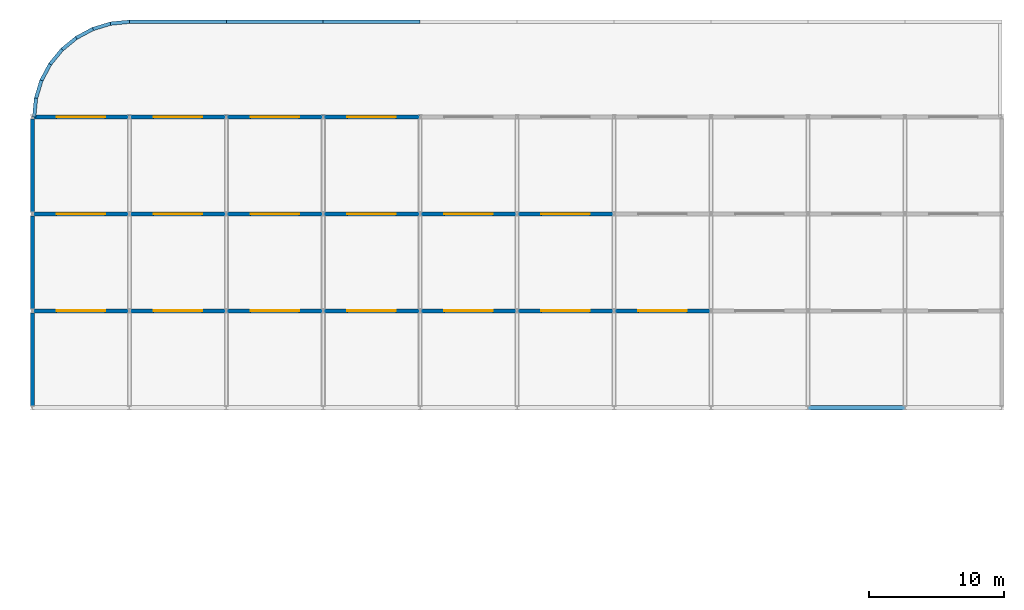
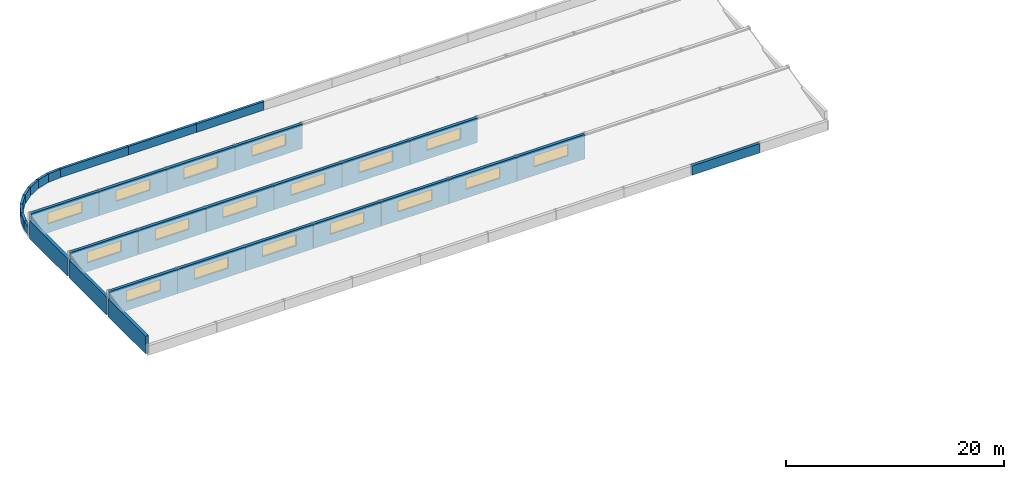
# One storey, part 16 of 19: 32 walls, 17 windows, 17 openings.
"""IFC4 building model written with IfcOpenShell, lengths in metres."""

from ifc_helpers import new_model, si_unit, direction, frame, frame_2d, origin, place, context, subcontext, project, spatial, rectangle, extrude, material, layer, layer_set, type_object, element, fill, save


model = new_model("IFC4")

# Units and contexts
model_context = context("Model", 3, precision=1e-05, world=origin(), true_north=direction((0.0, 1.0)))
body_context = subcontext(model_context, "Body", "Model", "MODEL_VIEW")
ifc_project = project(units=[si_unit("LENGTHUNIT", "METRE"), si_unit("AREAUNIT", "SQUARE_METRE"), si_unit("VOLUMEUNIT", "CUBIC_METRE"), si_unit("PLANEANGLEUNIT", "RADIAN"), si_unit("MASSUNIT", "GRAM", prefix="KILO")], contexts=[model_context])

# Site, building, storey
site_placement = place(None, origin())
site = spatial("IfcSite", under=ifc_project, at=site_placement, CompositionType="ELEMENT")
building_placement = place(site_placement, origin())
building = spatial("IfcBuilding", under=site, at=building_placement, Name="Thalmaran Polytechnic", CompositionType="ELEMENT")
storey_placement = place(building_placement, frame((0.0, 0.0, 26.699951171875)))
storey = spatial("IfcBuildingStorey", under=building, at=storey_placement, Name="L06", CompositionType="ELEMENT", Elevation=26.699951171875)

# Wall, opening, window
ifc_material_1 = material(Name="Precast concrete C40/50", Category="concrete")
ifc_layer_1 = layer(ifc_material_1, 0.31005859375, Name="Precast concrete C40/50")
ifc_layer_set_1 = layer_set([ifc_layer_1], Name="Precast concrete C40/50")
wall_type_1 = type_object("IfcWallType", Name="WL-EW03", PredefinedType="STANDARD", material=ifc_layer_set_1)
wall_1_placement = place(storey_placement, frame((7.18994140625, 100.800048828125, 0.0), z_axis=(0.0, 0.0, 1.0), x_axis=(-1.0, 0.0, 0.0)))
wall_1 = element("IfcWall", 1, at=wall_1_placement, inside=storey, type_object=wall_type_1, Name="Sawtooth North-Light Monitor Wall 1-00", PredefinedType="STANDARD", context=body_context, shape_type="SweptSolid", body=[
    extrude(rectangle(XDim=7.179931640625, YDim=0.31005859375, at=frame_2d((3.58984375, 0.0))), origin(), (0.0, 0.0, 1.0), 2.758544921875),
])
opening_1_placement = place(wall_1_placement, frame((1.7900390625, 0.0, 0.97998046875)))
opening_1 = element("IfcOpeningElement", 2, at=opening_1_placement, cuts=wall_1, Name="Opening CL03", PredefinedType="OPENING", context=body_context, shape_type="SweptSolid", body=[
    extrude(rectangle(XDim=3.60009765625, YDim=1.25, at=frame_2d((1.800048828125, 0.625))), frame((0.0, 0.1650390625, 0.0), z_axis=(0.0, -1.0, 0.0), x_axis=(1.0, 0.0, 0.0)), (0.0, 0.0, 1.0), 0.330078125),
])
ifc_material_2 = material(Name="Thermally broken aluminium and double low-E glass", Category="aluminium")
window_type = type_object("IfcWindowType", Name="WN-CL03", PartitioningType="DOUBLE_PANEL_VERTICAL", PredefinedType="WINDOW", material=ifc_material_2)
window_1_placement = place(opening_1_placement, origin())
window_1 = element("IfcWindow", 3, at=window_1_placement, inside=storey, type_object=window_type, Name="Sawtooth North-Light Studio Clerestory 1-00", OverallHeight=1.25, OverallWidth=3.60009765625, PartitioningType="SINGLE_PANEL", PredefinedType="WINDOW", context=body_context, shape_type="SweptSolid", body=[
    extrude(rectangle(XDim=3.60009765625, YDim=1.25, at=frame_2d((1.800048828125, 0.625))), frame((0.0, 0.030029296875, 0.0), z_axis=(0.0, -1.0, 0.0), x_axis=(1.0, 0.0, 0.0)), (0.0, 0.0, 1.0), 0.06005859375),
])
fill(opening_1, window_1)

wall_2_placement = place(storey_placement, frame((14.389892578125, 100.800048828125, 0.0), z_axis=(0.0, 0.0, 1.0), x_axis=(-1.0, 0.0, 0.0)))
wall_2 = element("IfcWall", 4, at=wall_2_placement, inside=storey, type_object=wall_type_1, Name="Sawtooth North-Light Monitor Wall 1-01", PredefinedType="STANDARD", context=body_context, shape_type="SweptSolid", body=[
    extrude(rectangle(XDim=7.179931640625, YDim=0.31005859375, at=frame_2d((3.58984375, 0.0))), origin(), (0.0, 0.0, 1.0), 2.758544921875),
])
opening_2_placement = place(wall_2_placement, frame((1.7900390625, 0.0, 0.97998046875)))
opening_2 = element("IfcOpeningElement", 5, at=opening_2_placement, cuts=wall_2, Name="Opening CL03", PredefinedType="OPENING", context=body_context, shape_type="SweptSolid", body=[
    extrude(rectangle(XDim=3.60009765625, YDim=1.25, at=frame_2d((1.800048828125, 0.625))), frame((0.0, 0.1650390625, 0.0), z_axis=(0.0, -1.0, 0.0), x_axis=(1.0, 0.0, 0.0)), (0.0, 0.0, 1.0), 0.330078125),
])
window_2_placement = place(opening_2_placement, origin())
window_2 = element("IfcWindow", 6, at=window_2_placement, inside=storey, type_object=window_type, Name="Sawtooth North-Light Studio Clerestory 1-01", OverallHeight=1.25, OverallWidth=3.60009765625, PartitioningType="SINGLE_PANEL", PredefinedType="WINDOW", context=body_context, shape_type="SweptSolid", body=[
    extrude(rectangle(XDim=3.60009765625, YDim=1.25, at=frame_2d((1.800048828125, 0.625))), frame((0.0, 0.030029296875, 0.0), z_axis=(0.0, -1.0, 0.0), x_axis=(1.0, 0.0, 0.0)), (0.0, 0.0, 1.0), 0.06005859375),
])
fill(opening_2, window_2)

wall_3_placement = place(storey_placement, frame((21.590087890625, 100.800048828125, 0.0), z_axis=(0.0, 0.0, 1.0), x_axis=(-1.0, 0.0, 0.0)))
wall_3 = element("IfcWall", 7, at=wall_3_placement, inside=storey, type_object=wall_type_1, Name="Sawtooth North-Light Monitor Wall 1-02", PredefinedType="STANDARD", context=body_context, shape_type="SweptSolid", body=[
    extrude(rectangle(XDim=7.18017578125, YDim=0.31005859375, at=frame_2d((3.590087890625, 0.0))), origin(), (0.0, 0.0, 1.0), 2.758544921875),
])
opening_3_placement = place(wall_3_placement, frame((1.7900390625, 0.0, 0.97998046875)))
opening_3 = element("IfcOpeningElement", 8, at=opening_3_placement, cuts=wall_3, Name="Opening CL03", PredefinedType="OPENING", context=body_context, shape_type="SweptSolid", body=[
    extrude(rectangle(XDim=3.60009765625, YDim=1.25, at=frame_2d((1.800048828125, 0.625))), frame((0.0, 0.1650390625, 0.0), z_axis=(0.0, -1.0, 0.0), x_axis=(1.0, 0.0, 0.0)), (0.0, 0.0, 1.0), 0.330078125),
])
window_3_placement = place(opening_3_placement, origin())
window_3 = element("IfcWindow", 9, at=window_3_placement, inside=storey, type_object=window_type, Name="Sawtooth North-Light Studio Clerestory 1-02", OverallHeight=1.25, OverallWidth=3.60009765625, PartitioningType="SINGLE_PANEL", PredefinedType="WINDOW", context=body_context, shape_type="SweptSolid", body=[
    extrude(rectangle(XDim=3.60009765625, YDim=1.25, at=frame_2d((1.800048828125, 0.625))), frame((0.0, 0.030029296875, 0.0), z_axis=(0.0, -1.0, 0.0), x_axis=(1.0, 0.0, 0.0)), (0.0, 0.0, 1.0), 0.06005859375),
])
fill(opening_3, window_3)

wall_4_placement = place(storey_placement, frame((28.7900390625, 100.800048828125, 0.0), z_axis=(0.0, 0.0, 1.0), x_axis=(-1.0, 0.0, 0.0)))
wall_4 = element("IfcWall", 10, at=wall_4_placement, inside=storey, type_object=wall_type_1, Name="Sawtooth North-Light Monitor Wall 1-03", PredefinedType="STANDARD", context=body_context, shape_type="SweptSolid", body=[
    extrude(rectangle(XDim=7.179931640625, YDim=0.31005859375, at=frame_2d((3.58984375, 0.0))), origin(), (0.0, 0.0, 1.0), 2.758544921875),
])
opening_4_placement = place(wall_4_placement, frame((1.7900390625, 0.0, 0.97998046875)))
opening_4 = element("IfcOpeningElement", 11, at=opening_4_placement, cuts=wall_4, Name="Opening CL03", PredefinedType="OPENING", context=body_context, shape_type="SweptSolid", body=[
    extrude(rectangle(XDim=3.60009765625, YDim=1.25, at=frame_2d((1.800048828125, 0.625))), frame((0.0, 0.1650390625, 0.0), z_axis=(0.0, -1.0, 0.0), x_axis=(1.0, 0.0, 0.0)), (0.0, 0.0, 1.0), 0.330078125),
])
window_4_placement = place(opening_4_placement, origin())
window_4 = element("IfcWindow", 12, at=window_4_placement, inside=storey, type_object=window_type, Name="Sawtooth North-Light Studio Clerestory 1-03", OverallHeight=1.25, OverallWidth=3.60009765625, PartitioningType="SINGLE_PANEL", PredefinedType="WINDOW", context=body_context, shape_type="SweptSolid", body=[
    extrude(rectangle(XDim=3.60009765625, YDim=1.25, at=frame_2d((1.800048828125, 0.625))), frame((0.0, 0.030029296875, 0.0), z_axis=(0.0, -1.0, 0.0), x_axis=(1.0, 0.0, 0.0)), (0.0, 0.0, 1.0), 0.06005859375),
])
fill(opening_4, window_4)

wall_5_placement = place(storey_placement, frame((35.989990234375, 100.800048828125, 0.0), z_axis=(0.0, 0.0, 1.0), x_axis=(-1.0, 0.0, 0.0)))
wall_5 = element("IfcWall", 13, at=wall_5_placement, inside=storey, type_object=wall_type_1, Name="Sawtooth North-Light Monitor Wall 1-04", PredefinedType="STANDARD", context=body_context, shape_type="SweptSolid", body=[
    extrude(rectangle(XDim=7.179931640625, YDim=0.31005859375, at=frame_2d((3.58984375, 0.0))), origin(), (0.0, 0.0, 1.0), 2.758544921875),
])
opening_5_placement = place(wall_5_placement, frame((1.7900390625, 0.0, 0.97998046875)))
opening_5 = element("IfcOpeningElement", 14, at=opening_5_placement, cuts=wall_5, Name="Opening CL03", PredefinedType="OPENING", context=body_context, shape_type="SweptSolid", body=[
    extrude(rectangle(XDim=3.60009765625, YDim=1.25, at=frame_2d((1.800048828125, 0.625))), frame((0.0, 0.1650390625, 0.0), z_axis=(0.0, -1.0, 0.0), x_axis=(1.0, 0.0, 0.0)), (0.0, 0.0, 1.0), 0.330078125),
])
window_5_placement = place(opening_5_placement, origin())
window_5 = element("IfcWindow", 15, at=window_5_placement, inside=storey, type_object=window_type, Name="Sawtooth North-Light Studio Clerestory 1-04", OverallHeight=1.25, OverallWidth=3.60009765625, PartitioningType="SINGLE_PANEL", PredefinedType="WINDOW", context=body_context, shape_type="SweptSolid", body=[
    extrude(rectangle(XDim=3.60009765625, YDim=1.25, at=frame_2d((1.800048828125, 0.625))), frame((0.0, 0.030029296875, 0.0), z_axis=(0.0, -1.0, 0.0), x_axis=(1.0, 0.0, 0.0)), (0.0, 0.0, 1.0), 0.06005859375),
])
fill(opening_5, window_5)

wall_6_placement = place(storey_placement, frame((43.18994140625, 100.800048828125, 0.0), z_axis=(0.0, 0.0, 1.0), x_axis=(-1.0, 0.0, 0.0)))
wall_6 = element("IfcWall", 16, at=wall_6_placement, inside=storey, type_object=wall_type_1, Name="Sawtooth North-Light Monitor Wall 1-05", PredefinedType="STANDARD", context=body_context, shape_type="SweptSolid", body=[
    extrude(rectangle(XDim=7.179931640625, YDim=0.31005859375, at=frame_2d((3.58984375, 0.0))), origin(), (0.0, 0.0, 1.0), 2.758544921875),
])
opening_6_placement = place(wall_6_placement, frame((1.7900390625, 0.0, 0.97998046875)))
opening_6 = element("IfcOpeningElement", 17, at=opening_6_placement, cuts=wall_6, Name="Opening CL03", PredefinedType="OPENING", context=body_context, shape_type="SweptSolid", body=[
    extrude(rectangle(XDim=3.60009765625, YDim=1.25, at=frame_2d((1.800048828125, 0.625))), frame((0.0, 0.1650390625, 0.0), z_axis=(0.0, -1.0, 0.0), x_axis=(1.0, 0.0, 0.0)), (0.0, 0.0, 1.0), 0.330078125),
])
window_6_placement = place(opening_6_placement, origin())
window_6 = element("IfcWindow", 18, at=window_6_placement, inside=storey, type_object=window_type, Name="Sawtooth North-Light Studio Clerestory 1-05", OverallHeight=1.25, OverallWidth=3.60009765625, PartitioningType="SINGLE_PANEL", PredefinedType="WINDOW", context=body_context, shape_type="SweptSolid", body=[
    extrude(rectangle(XDim=3.60009765625, YDim=1.25, at=frame_2d((1.800048828125, 0.625))), frame((0.0, 0.030029296875, 0.0), z_axis=(0.0, -1.0, 0.0), x_axis=(1.0, 0.0, 0.0)), (0.0, 0.0, 1.0), 0.06005859375),
])
fill(opening_6, window_6)

wall_7_placement = place(storey_placement, frame((50.389892578125, 100.800048828125, 0.0), z_axis=(0.0, 0.0, 1.0), x_axis=(-1.0, 0.0, 0.0)))
wall_7 = element("IfcWall", 19, at=wall_7_placement, inside=storey, type_object=wall_type_1, Name="Sawtooth North-Light Monitor Wall 1-06", PredefinedType="STANDARD", context=body_context, shape_type="SweptSolid", body=[
    extrude(rectangle(XDim=7.179931640625, YDim=0.31005859375, at=frame_2d((3.58984375, 0.0))), origin(), (0.0, 0.0, 1.0), 2.758544921875),
])
opening_7_placement = place(wall_7_placement, frame((1.7900390625, 0.0, 0.97998046875)))
opening_7 = element("IfcOpeningElement", 20, at=opening_7_placement, cuts=wall_7, Name="Opening CL03", PredefinedType="OPENING", context=body_context, shape_type="SweptSolid", body=[
    extrude(rectangle(XDim=3.60009765625, YDim=1.25, at=frame_2d((1.800048828125, 0.625))), frame((0.0, 0.1650390625, 0.0), z_axis=(0.0, -1.0, 0.0), x_axis=(1.0, 0.0, 0.0)), (0.0, 0.0, 1.0), 0.330078125),
])
window_7_placement = place(opening_7_placement, origin())
window_7 = element("IfcWindow", 21, at=window_7_placement, inside=storey, type_object=window_type, Name="Sawtooth North-Light Studio Clerestory 1-06", OverallHeight=1.25, OverallWidth=3.60009765625, PartitioningType="SINGLE_PANEL", PredefinedType="WINDOW", context=body_context, shape_type="SweptSolid", body=[
    extrude(rectangle(XDim=3.60009765625, YDim=1.25, at=frame_2d((1.800048828125, 0.625))), frame((0.0, 0.030029296875, 0.0), z_axis=(0.0, -1.0, 0.0), x_axis=(1.0, 0.0, 0.0)), (0.0, 0.0, 1.0), 0.06005859375),
])
fill(opening_7, window_7)

# Walls
wall_8_placement = place(storey_placement, frame((57.610107421875, 93.60009765625, 0.0), z_axis=(0.0, 0.0, 1.0), x_axis=(1.0, 0.0, 0.0)))
element("IfcWall", 22, at=wall_8_placement, inside=storey, type_object=wall_type_1, Name="Sawtooth South Eave Spandrel 08", PredefinedType="STANDARD", context=body_context, shape_type="SweptSolid", body=[
    extrude(rectangle(XDim=7.179931640625, YDim=0.31005859375, at=frame_2d((3.58984375, 0.0))), origin(), (0.0, 0.0, 1.0), 1.050048828125),
])
wall_9_placement = place(storey_placement, frame((0.0, 100.64990234375, 0.0), z_axis=(0.0, 0.0, 1.0), x_axis=(0.0, -1.0, 0.0)))
element("IfcWall", 23, at=wall_9_placement, inside=storey, type_object=wall_type_1, Name="Sawtooth Monitor End Cheek Wall 1-W", PredefinedType="STANDARD", context=body_context, shape_type="SweptSolid", body=[
    extrude(rectangle(XDim=6.89990234375, YDim=0.31005859375, at=frame_2d((3.449951171875, 0.0))), origin(), (0.0, 0.0, 1.0), 1.994384765625),
])

# Wall, opening, window
wall_10_placement = place(storey_placement, frame((7.18994140625, 108.0, 0.0), z_axis=(0.0, 0.0, 1.0), x_axis=(-1.0, 0.0, 0.0)))
wall_10 = element("IfcWall", 24, at=wall_10_placement, inside=storey, type_object=wall_type_1, Name="Sawtooth North-Light Monitor Wall 2-00", PredefinedType="STANDARD", context=body_context, shape_type="SweptSolid", body=[
    extrude(rectangle(XDim=7.179931640625, YDim=0.31005859375, at=frame_2d((3.58984375, 0.0))), origin(), (0.0, 0.0, 1.0), 2.758544921875),
])
opening_8_placement = place(wall_10_placement, frame((1.7900390625, 0.0, 0.97998046875)))
opening_8 = element("IfcOpeningElement", 25, at=opening_8_placement, cuts=wall_10, Name="Opening CL03", PredefinedType="OPENING", context=body_context, shape_type="SweptSolid", body=[
    extrude(rectangle(XDim=3.60009765625, YDim=1.25, at=frame_2d((1.800048828125, 0.625))), frame((0.0, 0.1650390625, 0.0), z_axis=(0.0, -1.0, 0.0), x_axis=(1.0, 0.0, 0.0)), (0.0, 0.0, 1.0), 0.330078125),
])
window_8_placement = place(opening_8_placement, origin())
window_8 = element("IfcWindow", 26, at=window_8_placement, inside=storey, type_object=window_type, Name="Sawtooth North-Light Studio Clerestory 2-00", OverallHeight=1.25, OverallWidth=3.60009765625, PartitioningType="SINGLE_PANEL", PredefinedType="WINDOW", context=body_context, shape_type="SweptSolid", body=[
    extrude(rectangle(XDim=3.60009765625, YDim=1.25, at=frame_2d((1.800048828125, 0.625))), frame((0.0, 0.030029296875, 0.0), z_axis=(0.0, -1.0, 0.0), x_axis=(1.0, 0.0, 0.0)), (0.0, 0.0, 1.0), 0.06005859375),
])
fill(opening_8, window_8)

wall_11_placement = place(storey_placement, frame((14.389892578125, 108.0, 0.0), z_axis=(0.0, 0.0, 1.0), x_axis=(-1.0, 0.0, 0.0)))
wall_11 = element("IfcWall", 27, at=wall_11_placement, inside=storey, type_object=wall_type_1, Name="Sawtooth North-Light Monitor Wall 2-01", PredefinedType="STANDARD", context=body_context, shape_type="SweptSolid", body=[
    extrude(rectangle(XDim=7.179931640625, YDim=0.31005859375, at=frame_2d((3.58984375, 0.0))), origin(), (0.0, 0.0, 1.0), 2.758544921875),
])
opening_9_placement = place(wall_11_placement, frame((1.7900390625, 0.0, 0.97998046875)))
opening_9 = element("IfcOpeningElement", 28, at=opening_9_placement, cuts=wall_11, Name="Opening CL03", PredefinedType="OPENING", context=body_context, shape_type="SweptSolid", body=[
    extrude(rectangle(XDim=3.60009765625, YDim=1.25, at=frame_2d((1.800048828125, 0.625))), frame((0.0, 0.1650390625, 0.0), z_axis=(0.0, -1.0, 0.0), x_axis=(1.0, 0.0, 0.0)), (0.0, 0.0, 1.0), 0.330078125),
])
window_9_placement = place(opening_9_placement, origin())
window_9 = element("IfcWindow", 29, at=window_9_placement, inside=storey, type_object=window_type, Name="Sawtooth North-Light Studio Clerestory 2-01", OverallHeight=1.25, OverallWidth=3.60009765625, PartitioningType="SINGLE_PANEL", PredefinedType="WINDOW", context=body_context, shape_type="SweptSolid", body=[
    extrude(rectangle(XDim=3.60009765625, YDim=1.25, at=frame_2d((1.800048828125, 0.625))), frame((0.0, 0.030029296875, 0.0), z_axis=(0.0, -1.0, 0.0), x_axis=(1.0, 0.0, 0.0)), (0.0, 0.0, 1.0), 0.06005859375),
])
fill(opening_9, window_9)

wall_12_placement = place(storey_placement, frame((21.590087890625, 108.0, 0.0), z_axis=(0.0, 0.0, 1.0), x_axis=(-1.0, 0.0, 0.0)))
wall_12 = element("IfcWall", 30, at=wall_12_placement, inside=storey, type_object=wall_type_1, Name="Sawtooth North-Light Monitor Wall 2-02", PredefinedType="STANDARD", context=body_context, shape_type="SweptSolid", body=[
    extrude(rectangle(XDim=7.18017578125, YDim=0.31005859375, at=frame_2d((3.590087890625, 0.0))), origin(), (0.0, 0.0, 1.0), 2.758544921875),
])
opening_10_placement = place(wall_12_placement, frame((1.7900390625, 0.0, 0.97998046875)))
opening_10 = element("IfcOpeningElement", 31, at=opening_10_placement, cuts=wall_12, Name="Opening CL03", PredefinedType="OPENING", context=body_context, shape_type="SweptSolid", body=[
    extrude(rectangle(XDim=3.60009765625, YDim=1.25, at=frame_2d((1.800048828125, 0.625))), frame((0.0, 0.1650390625, 0.0), z_axis=(0.0, -1.0, 0.0), x_axis=(1.0, 0.0, 0.0)), (0.0, 0.0, 1.0), 0.330078125),
])
window_10_placement = place(opening_10_placement, origin())
window_10 = element("IfcWindow", 32, at=window_10_placement, inside=storey, type_object=window_type, Name="Sawtooth North-Light Studio Clerestory 2-02", OverallHeight=1.25, OverallWidth=3.60009765625, PartitioningType="SINGLE_PANEL", PredefinedType="WINDOW", context=body_context, shape_type="SweptSolid", body=[
    extrude(rectangle(XDim=3.60009765625, YDim=1.25, at=frame_2d((1.800048828125, 0.625))), frame((0.0, 0.030029296875, 0.0), z_axis=(0.0, -1.0, 0.0), x_axis=(1.0, 0.0, 0.0)), (0.0, 0.0, 1.0), 0.06005859375),
])
fill(opening_10, window_10)

wall_13_placement = place(storey_placement, frame((28.7900390625, 108.0, 0.0), z_axis=(0.0, 0.0, 1.0), x_axis=(-1.0, 0.0, 0.0)))
wall_13 = element("IfcWall", 33, at=wall_13_placement, inside=storey, type_object=wall_type_1, Name="Sawtooth North-Light Monitor Wall 2-03", PredefinedType="STANDARD", context=body_context, shape_type="SweptSolid", body=[
    extrude(rectangle(XDim=7.179931640625, YDim=0.31005859375, at=frame_2d((3.58984375, 0.0))), origin(), (0.0, 0.0, 1.0), 2.758544921875),
])
opening_11_placement = place(wall_13_placement, frame((1.7900390625, 0.0, 0.97998046875)))
opening_11 = element("IfcOpeningElement", 34, at=opening_11_placement, cuts=wall_13, Name="Opening CL03", PredefinedType="OPENING", context=body_context, shape_type="SweptSolid", body=[
    extrude(rectangle(XDim=3.60009765625, YDim=1.25, at=frame_2d((1.800048828125, 0.625))), frame((0.0, 0.1650390625, 0.0), z_axis=(0.0, -1.0, 0.0), x_axis=(1.0, 0.0, 0.0)), (0.0, 0.0, 1.0), 0.330078125),
])
window_11_placement = place(opening_11_placement, origin())
window_11 = element("IfcWindow", 35, at=window_11_placement, inside=storey, type_object=window_type, Name="Sawtooth North-Light Studio Clerestory 2-03", OverallHeight=1.25, OverallWidth=3.60009765625, PartitioningType="SINGLE_PANEL", PredefinedType="WINDOW", context=body_context, shape_type="SweptSolid", body=[
    extrude(rectangle(XDim=3.60009765625, YDim=1.25, at=frame_2d((1.800048828125, 0.625))), frame((0.0, 0.030029296875, 0.0), z_axis=(0.0, -1.0, 0.0), x_axis=(1.0, 0.0, 0.0)), (0.0, 0.0, 1.0), 0.06005859375),
])
fill(opening_11, window_11)

wall_14_placement = place(storey_placement, frame((35.989990234375, 108.0, 0.0), z_axis=(0.0, 0.0, 1.0), x_axis=(-1.0, 0.0, 0.0)))
wall_14 = element("IfcWall", 36, at=wall_14_placement, inside=storey, type_object=wall_type_1, Name="Sawtooth North-Light Monitor Wall 2-04", PredefinedType="STANDARD", context=body_context, shape_type="SweptSolid", body=[
    extrude(rectangle(XDim=7.179931640625, YDim=0.31005859375, at=frame_2d((3.58984375, 0.0))), origin(), (0.0, 0.0, 1.0), 2.758544921875),
])
opening_12_placement = place(wall_14_placement, frame((1.7900390625, 0.0, 0.97998046875)))
opening_12 = element("IfcOpeningElement", 37, at=opening_12_placement, cuts=wall_14, Name="Opening CL03", PredefinedType="OPENING", context=body_context, shape_type="SweptSolid", body=[
    extrude(rectangle(XDim=3.60009765625, YDim=1.25, at=frame_2d((1.800048828125, 0.625))), frame((0.0, 0.1650390625, 0.0), z_axis=(0.0, -1.0, 0.0), x_axis=(1.0, 0.0, 0.0)), (0.0, 0.0, 1.0), 0.330078125),
])
window_12_placement = place(opening_12_placement, origin())
window_12 = element("IfcWindow", 38, at=window_12_placement, inside=storey, type_object=window_type, Name="Sawtooth North-Light Studio Clerestory 2-04", OverallHeight=1.25, OverallWidth=3.60009765625, PartitioningType="SINGLE_PANEL", PredefinedType="WINDOW", context=body_context, shape_type="SweptSolid", body=[
    extrude(rectangle(XDim=3.60009765625, YDim=1.25, at=frame_2d((1.800048828125, 0.625))), frame((0.0, 0.030029296875, 0.0), z_axis=(0.0, -1.0, 0.0), x_axis=(1.0, 0.0, 0.0)), (0.0, 0.0, 1.0), 0.06005859375),
])
fill(opening_12, window_12)

wall_15_placement = place(storey_placement, frame((43.18994140625, 108.0, 0.0), z_axis=(0.0, 0.0, 1.0), x_axis=(-1.0, 0.0, 0.0)))
wall_15 = element("IfcWall", 39, at=wall_15_placement, inside=storey, type_object=wall_type_1, Name="Sawtooth North-Light Monitor Wall 2-05", PredefinedType="STANDARD", context=body_context, shape_type="SweptSolid", body=[
    extrude(rectangle(XDim=7.179931640625, YDim=0.31005859375, at=frame_2d((3.58984375, 0.0))), origin(), (0.0, 0.0, 1.0), 2.758544921875),
])
opening_13_placement = place(wall_15_placement, frame((1.7900390625, 0.0, 0.97998046875)))
opening_13 = element("IfcOpeningElement", 40, at=opening_13_placement, cuts=wall_15, Name="Opening CL03", PredefinedType="OPENING", context=body_context, shape_type="SweptSolid", body=[
    extrude(rectangle(XDim=3.60009765625, YDim=1.25, at=frame_2d((1.800048828125, 0.625))), frame((0.0, 0.1650390625, 0.0), z_axis=(0.0, -1.0, 0.0), x_axis=(1.0, 0.0, 0.0)), (0.0, 0.0, 1.0), 0.330078125),
])
window_13_placement = place(opening_13_placement, origin())
window_13 = element("IfcWindow", 41, at=window_13_placement, inside=storey, type_object=window_type, Name="Sawtooth North-Light Studio Clerestory 2-05", OverallHeight=1.25, OverallWidth=3.60009765625, PartitioningType="SINGLE_PANEL", PredefinedType="WINDOW", context=body_context, shape_type="SweptSolid", body=[
    extrude(rectangle(XDim=3.60009765625, YDim=1.25, at=frame_2d((1.800048828125, 0.625))), frame((0.0, 0.030029296875, 0.0), z_axis=(0.0, -1.0, 0.0), x_axis=(1.0, 0.0, 0.0)), (0.0, 0.0, 1.0), 0.06005859375),
])
fill(opening_13, window_13)

# Wall
wall_16_placement = place(storey_placement, frame((0.0, 107.85009765625, 0.0), z_axis=(0.0, 0.0, 1.0), x_axis=(0.0, -1.0, 0.0)))
element("IfcWall", 42, at=wall_16_placement, inside=storey, type_object=wall_type_1, Name="Sawtooth Monitor End Cheek Wall 2-W", PredefinedType="STANDARD", context=body_context, shape_type="SweptSolid", body=[
    extrude(rectangle(XDim=6.900146484375, YDim=0.31005859375, at=frame_2d((3.4501953125, 0.0))), origin(), (0.0, 0.0, 1.0), 1.994384765625),
])

# Wall, opening, window
wall_17_placement = place(storey_placement, frame((7.18994140625, 115.199951171875, 0.0), z_axis=(0.0, 0.0, 1.0), x_axis=(-1.0, 0.0, 0.0)))
wall_17 = element("IfcWall", 43, at=wall_17_placement, inside=storey, type_object=wall_type_1, Name="Sawtooth North-Light Monitor Wall 3-00", PredefinedType="STANDARD", context=body_context, shape_type="SweptSolid", body=[
    extrude(rectangle(XDim=7.179931640625, YDim=0.31005859375, at=frame_2d((3.58984375, 0.0))), origin(), (0.0, 0.0, 1.0), 2.758544921875),
])
opening_14_placement = place(wall_17_placement, frame((1.7900390625, 0.0, 0.97998046875)))
opening_14 = element("IfcOpeningElement", 44, at=opening_14_placement, cuts=wall_17, Name="Opening CL03", PredefinedType="OPENING", context=body_context, shape_type="SweptSolid", body=[
    extrude(rectangle(XDim=3.60009765625, YDim=1.25, at=frame_2d((1.800048828125, 0.625))), frame((0.0, 0.1650390625, 0.0), z_axis=(0.0, -1.0, 0.0), x_axis=(1.0, 0.0, 0.0)), (0.0, 0.0, 1.0), 0.330078125),
])
window_14_placement = place(opening_14_placement, origin())
window_14 = element("IfcWindow", 45, at=window_14_placement, inside=storey, type_object=window_type, Name="Sawtooth North-Light Studio Clerestory 3-00", OverallHeight=1.25, OverallWidth=3.60009765625, PartitioningType="SINGLE_PANEL", PredefinedType="WINDOW", context=body_context, shape_type="SweptSolid", body=[
    extrude(rectangle(XDim=3.60009765625, YDim=1.25, at=frame_2d((1.800048828125, 0.625))), frame((0.0, 0.030029296875, 0.0), z_axis=(0.0, -1.0, 0.0), x_axis=(1.0, 0.0, 0.0)), (0.0, 0.0, 1.0), 0.06005859375),
])
fill(opening_14, window_14)

wall_18_placement = place(storey_placement, frame((14.389892578125, 115.199951171875, 0.0), z_axis=(0.0, 0.0, 1.0), x_axis=(-1.0, 0.0, 0.0)))
wall_18 = element("IfcWall", 46, at=wall_18_placement, inside=storey, type_object=wall_type_1, Name="Sawtooth North-Light Monitor Wall 3-01", PredefinedType="STANDARD", context=body_context, shape_type="SweptSolid", body=[
    extrude(rectangle(XDim=7.179931640625, YDim=0.31005859375, at=frame_2d((3.58984375, 0.0))), origin(), (0.0, 0.0, 1.0), 2.758544921875),
])
opening_15_placement = place(wall_18_placement, frame((1.7900390625, 0.0, 0.97998046875)))
opening_15 = element("IfcOpeningElement", 47, at=opening_15_placement, cuts=wall_18, Name="Opening CL03", PredefinedType="OPENING", context=body_context, shape_type="SweptSolid", body=[
    extrude(rectangle(XDim=3.60009765625, YDim=1.25, at=frame_2d((1.800048828125, 0.625))), frame((0.0, 0.1650390625, 0.0), z_axis=(0.0, -1.0, 0.0), x_axis=(1.0, 0.0, 0.0)), (0.0, 0.0, 1.0), 0.330078125),
])
window_15_placement = place(opening_15_placement, origin())
window_15 = element("IfcWindow", 48, at=window_15_placement, inside=storey, type_object=window_type, Name="Sawtooth North-Light Studio Clerestory 3-01", OverallHeight=1.25, OverallWidth=3.60009765625, PartitioningType="SINGLE_PANEL", PredefinedType="WINDOW", context=body_context, shape_type="SweptSolid", body=[
    extrude(rectangle(XDim=3.60009765625, YDim=1.25, at=frame_2d((1.800048828125, 0.625))), frame((0.0, 0.030029296875, 0.0), z_axis=(0.0, -1.0, 0.0), x_axis=(1.0, 0.0, 0.0)), (0.0, 0.0, 1.0), 0.06005859375),
])
fill(opening_15, window_15)

wall_19_placement = place(storey_placement, frame((21.590087890625, 115.199951171875, 0.0), z_axis=(0.0, 0.0, 1.0), x_axis=(-1.0, 0.0, 0.0)))
wall_19 = element("IfcWall", 49, at=wall_19_placement, inside=storey, type_object=wall_type_1, Name="Sawtooth North-Light Monitor Wall 3-02", PredefinedType="STANDARD", context=body_context, shape_type="SweptSolid", body=[
    extrude(rectangle(XDim=7.18017578125, YDim=0.31005859375, at=frame_2d((3.590087890625, 0.0))), origin(), (0.0, 0.0, 1.0), 2.758544921875),
])
opening_16_placement = place(wall_19_placement, frame((1.7900390625, 0.0, 0.97998046875)))
opening_16 = element("IfcOpeningElement", 50, at=opening_16_placement, cuts=wall_19, Name="Opening CL03", PredefinedType="OPENING", context=body_context, shape_type="SweptSolid", body=[
    extrude(rectangle(XDim=3.60009765625, YDim=1.25, at=frame_2d((1.800048828125, 0.625))), frame((0.0, 0.1650390625, 0.0), z_axis=(0.0, -1.0, 0.0), x_axis=(1.0, 0.0, 0.0)), (0.0, 0.0, 1.0), 0.330078125),
])
window_16_placement = place(opening_16_placement, origin())
window_16 = element("IfcWindow", 51, at=window_16_placement, inside=storey, type_object=window_type, Name="Sawtooth North-Light Studio Clerestory 3-02", OverallHeight=1.25, OverallWidth=3.60009765625, PartitioningType="SINGLE_PANEL", PredefinedType="WINDOW", context=body_context, shape_type="SweptSolid", body=[
    extrude(rectangle(XDim=3.60009765625, YDim=1.25, at=frame_2d((1.800048828125, 0.625))), frame((0.0, 0.030029296875, 0.0), z_axis=(0.0, -1.0, 0.0), x_axis=(1.0, 0.0, 0.0)), (0.0, 0.0, 1.0), 0.06005859375),
])
fill(opening_16, window_16)

wall_20_placement = place(storey_placement, frame((28.7900390625, 115.199951171875, 0.0), z_axis=(0.0, 0.0, 1.0), x_axis=(-1.0, 0.0, 0.0)))
wall_20 = element("IfcWall", 52, at=wall_20_placement, inside=storey, type_object=wall_type_1, Name="Sawtooth North-Light Monitor Wall 3-03", PredefinedType="STANDARD", context=body_context, shape_type="SweptSolid", body=[
    extrude(rectangle(XDim=7.179931640625, YDim=0.31005859375, at=frame_2d((3.58984375, 0.0))), origin(), (0.0, 0.0, 1.0), 2.758544921875),
])
opening_17_placement = place(wall_20_placement, frame((1.7900390625, 0.0, 0.97998046875)))
opening_17 = element("IfcOpeningElement", 53, at=opening_17_placement, cuts=wall_20, Name="Opening CL03", PredefinedType="OPENING", context=body_context, shape_type="SweptSolid", body=[
    extrude(rectangle(XDim=3.60009765625, YDim=1.25, at=frame_2d((1.800048828125, 0.625))), frame((0.0, 0.1650390625, 0.0), z_axis=(0.0, -1.0, 0.0), x_axis=(1.0, 0.0, 0.0)), (0.0, 0.0, 1.0), 0.330078125),
])
window_17_placement = place(opening_17_placement, origin())
window_17 = element("IfcWindow", 54, at=window_17_placement, inside=storey, type_object=window_type, Name="Sawtooth North-Light Studio Clerestory 3-03", OverallHeight=1.25, OverallWidth=3.60009765625, PartitioningType="SINGLE_PANEL", PredefinedType="WINDOW", context=body_context, shape_type="SweptSolid", body=[
    extrude(rectangle(XDim=3.60009765625, YDim=1.25, at=frame_2d((1.800048828125, 0.625))), frame((0.0, 0.030029296875, 0.0), z_axis=(0.0, -1.0, 0.0), x_axis=(1.0, 0.0, 0.0)), (0.0, 0.0, 1.0), 0.06005859375),
])
fill(opening_17, window_17)

# Walls
wall_21_placement = place(storey_placement, frame((0.0, 115.050048828125, 0.0), z_axis=(0.0, 0.0, 1.0), x_axis=(0.0, -1.0, 0.0)))
element("IfcWall", 55, at=wall_21_placement, inside=storey, type_object=wall_type_1, Name="Sawtooth Monitor End Cheek Wall 3-W", PredefinedType="STANDARD", context=body_context, shape_type="SweptSolid", body=[
    extrude(rectangle(XDim=6.900146484375, YDim=0.31005859375, at=frame_2d((3.4501953125, 0.0))), origin(), (0.0, 0.0, 1.0), 1.994384765625),
])
ifc_layer_2 = layer(ifc_material_1, 0.260009765625, Name="Precast concrete C40/50")
ifc_layer_set_2 = layer_set([ifc_layer_2], Name="Precast concrete C40/50")
wall_type_2 = type_object("IfcWallType", Name="WL-PW01", PredefinedType="PARAPET", material=ifc_layer_set_2)
wall_22_placement = place(storey_placement, frame((0.66259765625, 117.89404296875, 0.0), z_axis=(0.0, 0.0, 1.0), x_axis=(0.471467723713, 0.881883317393, 0.0)))
element("IfcWall", 56, at=wall_22_placement, inside=storey, type_object=wall_type_2, Name="Streamline Crown Parapet L06-001", PredefinedType="PARAPET", context=body_context, shape_type="SweptSolid", body=[
    extrude(rectangle(XDim=1.41162109375, YDim=0.260009765625, at=frame_2d((0.705810546875, 0.0))), origin(), (0.0, 0.0, 1.0), 0.949951171875),
])
wall_23_placement = place(storey_placement, frame((1.31396484375, 119.11767578125, 0.0), z_axis=(0.0, 0.0, 1.0), x_axis=(0.63432986571, 0.773062495189, 0.0)))
element("IfcWall", 57, at=wall_23_placement, inside=storey, type_object=wall_type_2, Name="Streamline Crown Parapet L06-002", PredefinedType="PARAPET", context=body_context, shape_type="SweptSolid", body=[
    extrude(rectangle(XDim=1.411376953125, YDim=0.260009765625, at=frame_2d((0.70556640625, 0.0))), origin(), (0.0, 0.0, 1.0), 0.949951171875),
])
wall_24_placement = place(storey_placement, frame((2.19140625, 120.190673828125, 0.0), z_axis=(0.0, 0.0, 1.0), x_axis=(0.772977670605, 0.634433227965, 0.0)))
element("IfcWall", 58, at=wall_24_placement, inside=storey, type_object=wall_type_2, Name="Streamline Crown Parapet L06-003", PredefinedType="PARAPET", context=body_context, shape_type="SweptSolid", body=[
    extrude(rectangle(XDim=1.41162109375, YDim=0.260009765625, at=frame_2d((0.705810546875, 0.0))), origin(), (0.0, 0.0, 1.0), 0.949951171875),
])
for number, where, z_axis, x_axis, name in (
    (59, (3.26123046875, 121.072021484375, 0.0), (0.0, 0.0, 1.0), (0.881916788861, 0.471405109778, 0.0), "Streamline Crown Parapet L06-004"),
    (60, (4.482421875, 121.7275390625, 0.0), (0.0, 0.0, 1.0), (0.956945806495, 0.290266641956, 0.0), "Streamline Crown Parapet L06-005"),
    (61, (5.80810546875, 122.13232421875, 0.0), (0.0, 0.0, 1.0), (0.995195200511, 0.097910739351, 0.0), "Streamline Crown Parapet L06-006"),
):
    element("IfcWall", number, at=place(storey_placement, frame(where, z_axis=z_axis, x_axis=x_axis)), inside=storey, type_object=wall_type_2, Name=name, PredefinedType="PARAPET", context=body_context, shape_type="SweptSolid", body=[
        extrude(rectangle(XDim=1.411376953125, YDim=0.260009765625, at=frame_2d((0.70556640625, 0.0))), origin(), (0.0, 0.0, 1.0), 0.949951171875),
    ])
wall_25_placement = place(storey_placement, frame((7.199951171875, 122.27001953125, 0.0), z_axis=(0.0, 0.0, 1.0), x_axis=(1.0, 0.0, 0.0)))
element("IfcWall", 62, at=wall_25_placement, inside=storey, type_object=wall_type_2, Name="Streamline Crown Parapet L06-007", PredefinedType="PARAPET", context=body_context, shape_type="SweptSolid", body=[
    extrude(rectangle(XDim=7.199951171875, YDim=0.260009765625, at=frame_2d((3.60009765625, 0.0))), origin(), (0.0, 0.0, 1.0), 0.949951171875),
])
wall_26_placement = place(storey_placement, frame((14.39990234375, 122.27001953125, 0.0), z_axis=(0.0, 0.0, 1.0), x_axis=(1.0, 0.0, 0.0)))
element("IfcWall", 63, at=wall_26_placement, inside=storey, type_object=wall_type_2, Name="Streamline Crown Parapet L06-008", PredefinedType="PARAPET", context=body_context, shape_type="SweptSolid", body=[
    extrude(rectangle(XDim=7.2001953125, YDim=0.260009765625, at=frame_2d((3.60009765625, 0.0))), origin(), (0.0, 0.0, 1.0), 0.949951171875),
])
wall_27_placement = place(storey_placement, frame((21.60009765625, 122.27001953125, 0.0), z_axis=(0.0, 0.0, 1.0), x_axis=(1.0, 0.0, 0.0)))
element("IfcWall", 64, at=wall_27_placement, inside=storey, type_object=wall_type_2, Name="Streamline Crown Parapet L06-009", PredefinedType="PARAPET", context=body_context, shape_type="SweptSolid", body=[
    extrude(rectangle(XDim=7.199951171875, YDim=0.260009765625, at=frame_2d((3.60009765625, 0.0))), origin(), (0.0, 0.0, 1.0), 0.949951171875),
])
for number, where, z_axis, x_axis, name in (
    (65, (0.12939453125, 115.187255859375, 0.0), (0.0, 0.0, 1.0), (0.098082063825, 0.995178330128, 0.0), "Streamline Crown Parapet L06-017"),
    (66, (0.2626953125, 116.56689453125, 0.0), (0.0, 0.0, 1.0), (0.290266641956, 0.956945806495, 0.0), "Streamline Crown Parapet L06-018"),
):
    element("IfcWall", number, at=place(storey_placement, frame(where, z_axis=z_axis, x_axis=x_axis)), inside=storey, type_object=wall_type_2, Name=name, PredefinedType="PARAPET", context=body_context, shape_type="SweptSolid", body=[
        extrude(rectangle(XDim=1.411376953125, YDim=0.260009765625, at=frame_2d((0.70556640625, 0.0))), origin(), (0.0, 0.0, 1.0), 0.949951171875),
    ])

save(model, "model.ifc")
